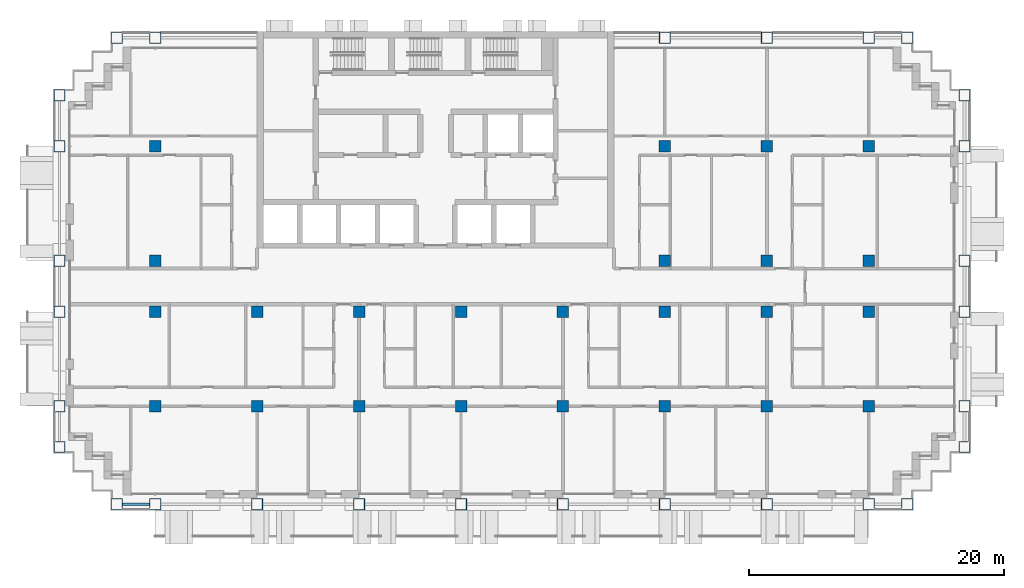
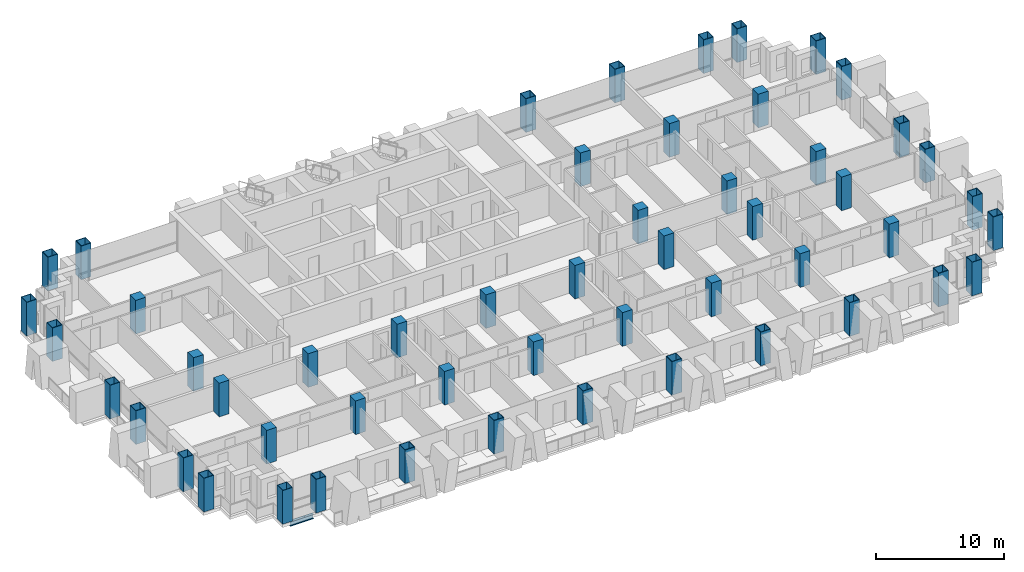
# One storey, part 1 of 18: 52 columns, 1 beam.
"""IFC4 building model written with IfcOpenShell, lengths in metres."""

from ifc_helpers import new_model, si_unit, direction, frame, origin, origin_2d, place, context, subcontext, project, spatial, rectangle, hollow_rectangle, i_section, extrude, material, material_profile, profile_set, type_object, element, save


model = new_model("IFC4")

# Units and contexts
model_context = context("Model", 3, precision=1e-05, world=origin(), true_north=direction((0.0, 1.0)))
body_context = subcontext(model_context, "Body", "Model", "MODEL_VIEW")
ifc_project = project(units=[si_unit("LENGTHUNIT", "METRE"), si_unit("AREAUNIT", "SQUARE_METRE"), si_unit("VOLUMEUNIT", "CUBIC_METRE"), si_unit("PLANEANGLEUNIT", "RADIAN"), si_unit("MASSUNIT", "GRAM", prefix="KILO")], contexts=[model_context])

# Site, building, storey
site_placement = place(None, origin())
site = spatial("IfcSite", under=ifc_project, at=site_placement, CompositionType="ELEMENT")
building_placement = place(site_placement, origin())
building = spatial("IfcBuilding", under=site, at=building_placement, Name="Vidyagriha Tower", CompositionType="ELEMENT")
storey_placement = place(building_placement, frame((0.0, 0.0, 83.89990234375)))
storey = spatial("IfcBuildingStorey", under=building, at=storey_placement, Name="L21", CompositionType="ELEMENT", Elevation=83.89990234375)

# Columns
ifc_material_1 = material(Name="Steel ASTM A572 Grade 50", Category="steel")
ifc_material_profile_1 = material_profile(ifc_material_1, hollow_rectangle(XDim=0.89990234375, YDim=0.89990234375, WallThickness=0.044921875, at=origin_2d()), Name="BOX 900x900x45")
ifc_profile_set_1 = profile_set([ifc_material_profile_1], Name="Steel ASTM A572 Grade 50")
column_type_1 = type_object("IfcColumnType", Name="Exoskeleton column BOX 900x900x45", PredefinedType="COLUMN", material=ifc_profile_set_1)
for number, where, name in (
    (1, (-25.0, -17.10009765625, 0.0), "st-col-L21-B2-001"),
    (2, (-22.0, -17.10009765625, 0.0), "st-col-L21-B2-002"),
    (3, (-14.0, -17.10009765625, 0.0), "st-col-L21-B2-003"),
    (4, (-6.0, -17.10009765625, 0.0), "st-col-L21-B2-004"),
    (5, (2.0, -17.10009765625, 0.0), "st-col-L21-B2-005"),
    (6, (10.0, -17.10009765625, 0.0), "st-col-L21-B2-006"),
    (7, (18.0, -17.10009765625, 0.0), "st-col-L21-B2-007"),
    (8, (26.0, -17.10009765625, 0.0), "st-col-L21-B2-008"),
    (9, (34.0, -17.10009765625, 0.0), "st-col-L21-B2-009"),
    (10, (37.0, -17.10009765625, 0.0), "st-col-L21-B2-010"),
    (11, (-29.5, -12.60009765625, 0.0), "st-col-L21-B2-011"),
    (12, (41.5, -12.60009765625, 0.0), "st-col-L21-B2-012"),
    (13, (-29.5, -9.39990234375, 0.0), "st-col-L21-B2-013"),
    (14, (41.5, -9.39990234375, 0.0), "st-col-L21-B2-022"),
    (15, (-29.5, -2.0, 0.0), "st-col-L21-B2-023"),
    (16, (41.5, -2.0, 0.0), "st-col-L21-B2-032"),
    (17, (-29.5, 2.0, 0.0), "st-col-L21-B2-033"),
    (18, (41.5, 2.0, 0.0), "st-col-L21-B2-038"),
    (19, (-29.5, 11.0, 0.0), "st-col-L21-B2-039"),
    (20, (41.5, 11.0, 0.0), "st-col-L21-B2-044"),
    (21, (-29.5, 15.0, 0.0), "st-col-L21-B2-045"),
    (22, (41.5, 15.0, 0.0), "st-col-L21-B2-046"),
    (23, (-25.0, 19.5, 0.0), "st-col-L21-B2-047"),
    (24, (-22.0, 19.5, 0.0), "st-col-L21-B2-048"),
    (25, (18.0, 19.5, 0.0), "st-col-L21-B2-049"),
    (26, (26.0, 19.5, 0.0), "st-col-L21-B2-050"),
    (27, (34.0, 19.5, 0.0), "st-col-L21-B2-051"),
    (28, (37.0, 19.5, 0.0), "st-col-L21-B2-052"),
):
    element("IfcColumn", number, at=place(storey_placement, frame(where)), inside=storey, type_object=column_type_1, Name=name, PredefinedType="COLUMN", context=body_context, shape_type="SweptSolid", body=[
        extrude(hollow_rectangle(XDim=0.89990234375, YDim=0.89990234375, WallThickness=0.044921875, at=origin_2d()), origin(), (0.0, 0.0, 1.0), 3.2001953125),
    ])
ifc_material_2 = material(Name="Concrete C80/95", Category="concrete")
ifc_material_profile_2 = material_profile(ifc_material_2, rectangle(XDim=0.89990234375, YDim=0.89990234375, at=origin_2d()), Name="RC 900x900")
ifc_profile_set_2 = profile_set([ifc_material_profile_2], Name="Concrete C80/95")
column_type_2 = type_object("IfcColumnType", Name="Frame column RC 900x900", PredefinedType="COLUMN", material=ifc_profile_set_2)
for number, where, name in (
    (29, (-22.0, -9.39990234375, 0.0), "st-col-L21-B2-014"),
    (30, (-14.0, -9.39990234375, 0.0), "st-col-L21-B2-015"),
    (31, (-6.0, -9.39990234375, 0.0), "st-col-L21-B2-016"),
    (32, (2.0, -9.39990234375, 0.0), "st-col-L21-B2-017"),
    (33, (10.0, -9.39990234375, 0.0), "st-col-L21-B2-018"),
    (34, (18.0, -9.39990234375, 0.0), "st-col-L21-B2-019"),
    (35, (26.0, -9.39990234375, 0.0), "st-col-L21-B2-020"),
    (36, (34.0, -9.39990234375, 0.0), "st-col-L21-B2-021"),
    (37, (-22.0, -2.0, 0.0), "st-col-L21-B2-024"),
    (38, (-14.0, -2.0, 0.0), "st-col-L21-B2-025"),
    (39, (-6.0, -2.0, 0.0), "st-col-L21-B2-026"),
    (40, (2.0, -2.0, 0.0), "st-col-L21-B2-027"),
    (41, (10.0, -2.0, 0.0), "st-col-L21-B2-028"),
    (42, (18.0, -2.0, 0.0), "st-col-L21-B2-029"),
    (43, (26.0, -2.0, 0.0), "st-col-L21-B2-030"),
    (44, (34.0, -2.0, 0.0), "st-col-L21-B2-031"),
    (45, (-22.0, 2.0, 0.0), "st-col-L21-B2-034"),
    (46, (18.0, 2.0, 0.0), "st-col-L21-B2-035"),
    (47, (26.0, 2.0, 0.0), "st-col-L21-B2-036"),
    (48, (34.0, 2.0, 0.0), "st-col-L21-B2-037"),
    (49, (-22.0, 11.0, 0.0), "st-col-L21-B2-040"),
    (50, (18.0, 11.0, 0.0), "st-col-L21-B2-041"),
    (51, (26.0, 11.0, 0.0), "st-col-L21-B2-042"),
    (52, (34.0, 11.0, 0.0), "st-col-L21-B2-043"),
):
    element("IfcColumn", number, at=place(storey_placement, frame(where)), inside=storey, type_object=column_type_2, Name=name, PredefinedType="COLUMN", context=body_context, shape_type="SweptSolid", body=[
        extrude(rectangle(XDim=0.89990234375, YDim=0.89990234375, at=origin_2d()), origin(), (0.0, 0.0, 1.0), 3.2001953125),
    ])

# Beam
ifc_material_3 = material(Name="Steel ASTM A992 Grade 50", Category="steel")
ifc_material_profile_3 = material_profile(ifc_material_3, i_section(OverallWidth=0.19189453125, OverallDepth=0.46240234375, WebThickness=0.010498046875, FlangeThickness=0.017578125, at=origin_2d()), Name="W18X60")
ifc_profile_set_3 = profile_set([ifc_material_profile_3], Name="Steel ASTM A992 Grade 50")
beam_type = type_object("IfcBeamType", Name="Edge beam W18X60", PredefinedType="SPANDREL", material=ifc_profile_set_3)
beam_placement = place(storey_placement, frame((-24.550048828125, -17.10009765625, -0.510986328125), z_axis=(1.0, 0.0, 0.0), x_axis=(0.0, 1.0, 0.0)))
element("IfcBeam", 53, at=beam_placement, inside=storey, type_object=beam_type, Name="st-beam-L21-S01", PredefinedType="SPANDREL", context=body_context, shape_type="SweptSolid", body=[
    extrude(i_section(OverallWidth=0.19189453125, OverallDepth=0.46240234375, WebThickness=0.010498046875, FlangeThickness=0.017578125, at=origin_2d()), origin(), (0.0, 0.0, 1.0), 2.10009765625),
])

save(model, "model.ifc")
